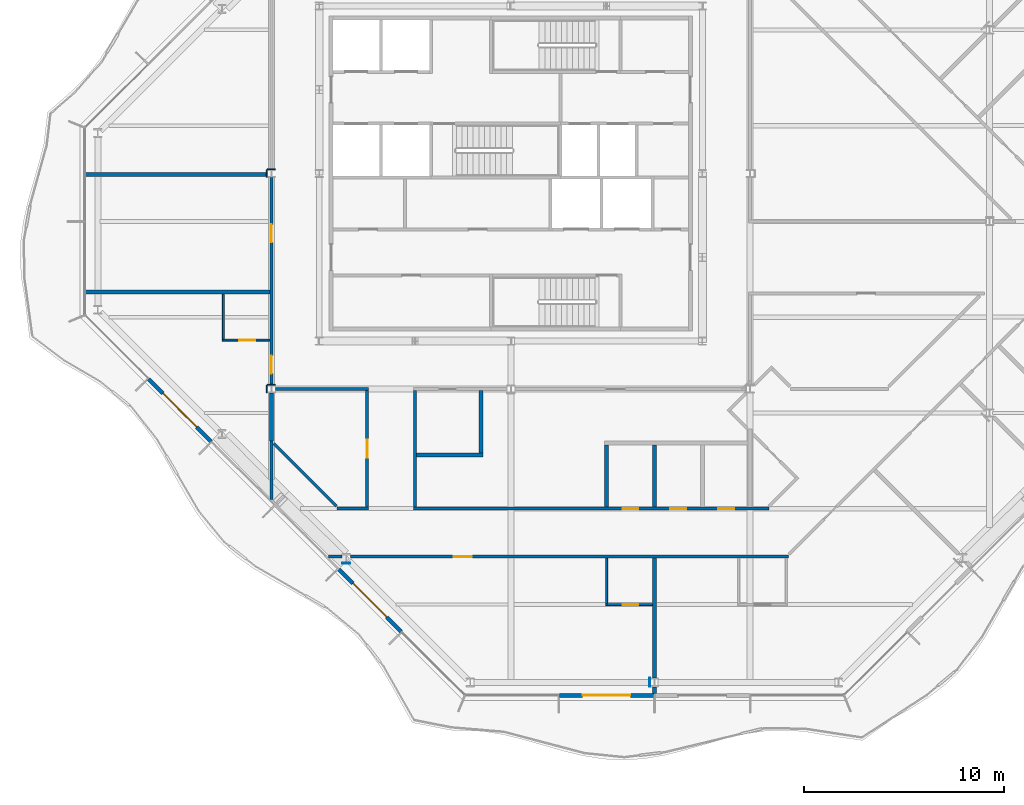
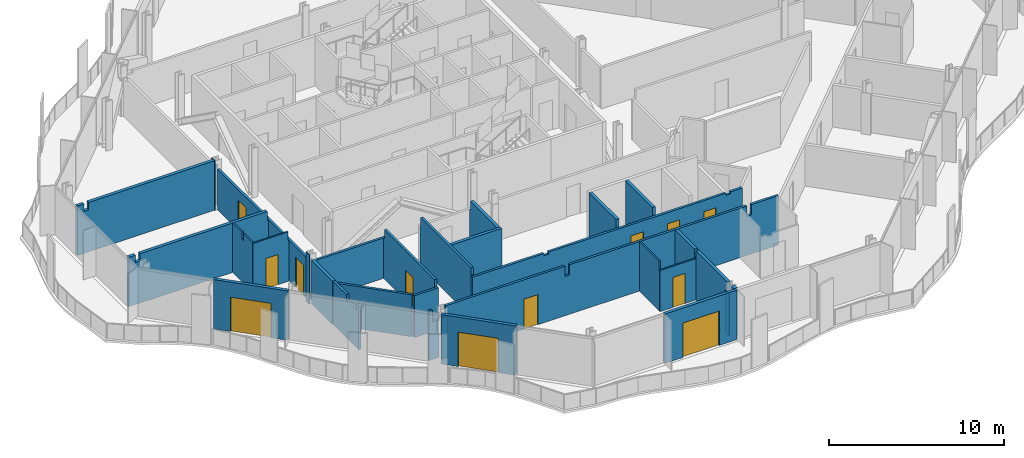
# One storey, part 7 of 17: 32 walls, 12 doors, 12 openings.
"""IFC4 building model written with IfcOpenShell, lengths in metres."""

from ifc_helpers import new_model, si_unit, direction, frame, frame_2d, origin, place, context, subcontext, project, spatial, polyline, rectangle, outline, extrude, material, layer, layer_set, type_object, element, fill, save


model = new_model("IFC4")

# Units and contexts
model_context = context("Model", 3, precision=1e-05, world=origin(), true_north=direction((0.0, 1.0)))
body_context = subcontext(model_context, "Body", "Model", "MODEL_VIEW")
ifc_project = project(units=[si_unit("LENGTHUNIT", "METRE"), si_unit("AREAUNIT", "SQUARE_METRE"), si_unit("VOLUMEUNIT", "CUBIC_METRE"), si_unit("PLANEANGLEUNIT", "RADIAN"), si_unit("MASSUNIT", "GRAM", prefix="KILO")], contexts=[model_context])

# Site, building, storey
site_placement = place(None, origin())
site = spatial("IfcSite", under=ifc_project, at=site_placement, CompositionType="ELEMENT")
building_placement = place(site_placement, origin())
building = spatial("IfcBuilding", under=site, at=building_placement, Name="Cairn Pilgrim Tower", CompositionType="ELEMENT")
storey_placement = place(building_placement, frame((0.0, 0.0, 214.199951171875)))
storey = spatial("IfcBuildingStorey", under=building, at=storey_placement, Name="L54", CompositionType="ELEMENT", Elevation=214.199951171875)

# Wall, opening, door
ifc_material_1 = material(Name="Bronze anodised aluminium insulated sandwich panel with mineral wool fill", Category="aluminium")
ifc_layer_1 = layer(ifc_material_1, 0.199951171875)
ifc_layer_set_1 = layer_set([ifc_layer_1], Name="BRONZE INFILL FRAME WALL 200")
wall_type_1 = type_object("IfcWallType", Name="BRONZE INFILL FRAME WALL 200", PredefinedType="NOTDEFINED", material=ifc_layer_set_1)
wall_1_placement = place(storey_placement, frame((9.6298828125, -23.75, 0.0), z_axis=(0.0, 0.0, 1.0), x_axis=(1.0, 0.0, 0.0)))
wall_1 = element("IfcWall", 1, at=wall_1_placement, inside=storey, type_object=wall_type_1, Name="Bronze infill frame wall IW-S2", PredefinedType="NOTDEFINED", context=body_context, shape_type="SweptSolid", body=[
    extrude(rectangle(XDim=4.740234375, YDim=0.199951171875, at=frame_2d((2.3701171875, 0.0))), origin(), (0.0, 0.0, 1.0), 3.449951171875),
])
opening_1_placement = place(wall_1_placement, frame((1.169921875, 0.0, 0.0)))
opening_1 = element("IfcOpeningElement", 2, at=opening_1_placement, cuts=wall_1, Name="Opening 5412B2", PredefinedType="OPENING", context=body_context, shape_type="SweptSolid", body=[
    extrude(rectangle(XDim=2.39990234375, YDim=2.39990234375, at=frame_2d((1.199951171875, 1.199951171875))), frame((0.0, 0.10986328125, 0.0), z_axis=(0.0, -1.0, 0.0), x_axis=(1.0, 0.0, 0.0)), (0.0, 0.0, 1.0), 0.219970703125),
])
ifc_material_2 = material(Name="Bronze anodised aluminium frame with tinted low-E glass", Category="aluminium")
door_type_1 = type_object("IfcDoorType", Name="BALCONY SLIDING DOOR 2400x2400", OperationType="DOUBLE_DOOR_SLIDING", PredefinedType="DOOR", material=ifc_material_2)
door_1_placement = place(opening_1_placement, origin())
door_1 = element("IfcDoor", 3, at=door_1_placement, inside=storey, type_object=door_type_1, Name="Balcony sliding door 5412B2", OperationType="SINGLE_SWING_LEFT", OverallHeight=2.39990234375, OverallWidth=2.39990234375, PredefinedType="DOOR", context=body_context, shape_type="SweptSolid", body=[
    extrude(rectangle(XDim=2.39990234375, YDim=2.39990234375, at=frame_2d((1.199951171875, 1.199951171875))), frame((0.0, 0.02490234375, 0.0), z_axis=(0.0, -1.0, 0.0), x_axis=(1.0, 0.0, 0.0)), (0.0, 0.0, 1.0), 0.050048828125),
])
fill(opening_1, door_1)

wall_2_placement = place(storey_placement, frame((-10.953125, -7.893310546875, 0.0), z_axis=(0.0, 0.0, 1.0), x_axis=(0.707106781187, -0.707106781187, 0.0)))
wall_2 = element("IfcWall", 4, at=wall_2_placement, inside=storey, type_object=wall_type_1, Name="Bronze infill frame wall IW-SW2", PredefinedType="NOTDEFINED", context=body_context, shape_type="SweptSolid", body=[
    extrude(rectangle(XDim=4.430908203125, YDim=0.199951171875, at=frame_2d((2.21533203125, 0.0))), origin(), (0.0, 0.0, 1.0), 3.449951171875),
])
opening_2_placement = place(wall_2_placement, frame((1.015380859375, 0.0, 0.0)))
opening_2 = element("IfcOpeningElement", 5, at=opening_2_placement, cuts=wall_2, Name="Opening 5411B", PredefinedType="OPENING", context=body_context, shape_type="SweptSolid", body=[
    extrude(rectangle(XDim=2.39990234375, YDim=2.39990234375, at=frame_2d((1.199951171875, 1.199951171875))), frame((0.0, 0.10986328125, 0.0), z_axis=(0.0, -1.0, 0.0), x_axis=(1.0, 0.0, 0.0)), (0.0, 0.0, 1.0), 0.219970703125),
])
door_2_placement = place(opening_2_placement, origin())
door_2 = element("IfcDoor", 6, at=door_2_placement, inside=storey, type_object=door_type_1, Name="Balcony sliding door 5411B", OperationType="SINGLE_SWING_LEFT", OverallHeight=2.39990234375, OverallWidth=2.39990234375, PredefinedType="DOOR", context=body_context, shape_type="SweptSolid", body=[
    extrude(rectangle(XDim=2.39990234375, YDim=2.39990234375, at=frame_2d((1.199951171875, 1.199951171875))), frame((0.0, 0.02490234375, 0.0), z_axis=(0.0, -1.0, 0.0), x_axis=(1.0, 0.0, 0.0)), (0.0, 0.0, 1.0), 0.050048828125),
])
fill(opening_2, door_2)

wall_3_placement = place(storey_placement, frame((-1.426513671875, -17.419921875, 0.0), z_axis=(0.0, 0.0, 1.0), x_axis=(0.707106781187, -0.707106781187, 0.0)))
wall_3 = element("IfcWall", 7, at=wall_3_placement, inside=storey, type_object=wall_type_1, Name="Bronze infill frame wall IW-SW5", PredefinedType="NOTDEFINED", context=body_context, shape_type="SweptSolid", body=[
    extrude(rectangle(XDim=4.43115234375, YDim=0.199951171875, at=frame_2d((2.215576171875, 0.0))), origin(), (0.0, 0.0, 1.0), 3.449951171875),
])
opening_3_placement = place(wall_3_placement, frame((1.01513671875, 0.0, 0.0)))
opening_3 = element("IfcOpeningElement", 8, at=opening_3_placement, cuts=wall_3, Name="Opening 5412B", PredefinedType="OPENING", context=body_context, shape_type="SweptSolid", body=[
    extrude(rectangle(XDim=2.39990234375, YDim=2.39990234375, at=frame_2d((1.199951171875, 1.199951171875))), frame((0.0, 0.10986328125, 0.0), z_axis=(0.0, -1.0, 0.0), x_axis=(1.0, 0.0, 0.0)), (0.0, 0.0, 1.0), 0.219970703125),
])
door_3_placement = place(opening_3_placement, origin())
door_3 = element("IfcDoor", 9, at=door_3_placement, inside=storey, type_object=door_type_1, Name="Balcony sliding door 5412B", OperationType="SINGLE_SWING_LEFT", OverallHeight=2.39990234375, OverallWidth=2.39990234375, PredefinedType="DOOR", context=body_context, shape_type="SweptSolid", body=[
    extrude(rectangle(XDim=2.39990234375, YDim=2.39990234375, at=frame_2d((1.199951171875, 1.199951171875))), frame((0.0, 0.02490234375, 0.0), z_axis=(0.0, -1.0, 0.0), x_axis=(1.0, 0.0, 0.0)), (0.0, 0.0, 1.0), 0.050048828125),
])
fill(opening_3, door_3)

ifc_material_3 = material(Name="Gypsum partition")
ifc_layer_2 = layer(ifc_material_3, 0.10009765625)
ifc_layer_set_2 = layer_set([ifc_layer_2], Name="PARTITION 100 DRYWALL")
wall_type_2 = type_object("IfcWallType", Name="PARTITION 100 DRYWALL", PredefinedType="PARTITIONING", material=ifc_layer_set_2)
wall_4_placement = place(storey_placement, frame((11.949951171875, -19.199951171875, 0.0), z_axis=(0.0, 0.0, 1.0), x_axis=(1.0, 0.0, 0.0)))
wall_4 = element("IfcWall", 10, at=wall_4_placement, inside=storey, type_object=wall_type_2, Name="PARTITION W003", PredefinedType="PARTITIONING", context=body_context, shape_type="SweptSolid", body=[
    extrude(rectangle(XDim=2.35009765625, YDim=0.10009765625, at=frame_2d((1.175048828125, 0.0))), origin(), (0.0, 0.0, 1.0), 2.880126953125),
])
opening_4_placement = place(wall_4_placement, frame((0.85009765625, 0.0, 0.0)))
opening_4 = element("IfcOpeningElement", 11, at=opening_4_placement, cuts=wall_4, Name="Opening 5412A", PredefinedType="OPENING", context=body_context, shape_type="SweptSolid", body=[
    extrude(rectangle(XDim=0.800048828125, YDim=2.10009765625, at=frame_2d((0.39990234375, 1.050048828125))), frame((0.0, 0.06005859375, 0.0), z_axis=(0.0, -1.0, 0.0), x_axis=(1.0, 0.0, 0.0)), (0.0, 0.0, 1.0), 0.1201171875),
])
ifc_material_4 = material(Name="Timber door leaf", Category="wood")
door_type_2 = type_object("IfcDoorType", Name="WC DOOR 800x2100", OperationType="NOTDEFINED", PredefinedType="DOOR", material=ifc_material_4)
door_4_placement = place(opening_4_placement, frame((0.800048828125, 0.0, 0.0), z_axis=(0.0, 0.0, 1.0), x_axis=(-1.0, 0.0, 0.0)))
door_4 = element("IfcDoor", 12, at=door_4_placement, inside=storey, type_object=door_type_2, Name="DOOR 5412A", OperationType="SINGLE_SWING_RIGHT", OverallHeight=2.10009765625, OverallWidth=0.800048828125, PredefinedType="DOOR", context=body_context, shape_type="SweptSolid", body=[
    extrude(rectangle(XDim=0.800048828125, YDim=2.10009765625, at=frame_2d((0.39990234375, 1.050048828125))), frame((0.0, 0.02490234375, 0.0), z_axis=(0.0, -1.0, 0.0), x_axis=(1.0, 0.0, 0.0)), (0.0, 0.0, 1.0), 0.050048828125),
])
fill(opening_4, door_4)

# Wall
wall_5_placement = place(storey_placement, frame((12.0, -19.14990234375, 0.0), z_axis=(0.0, 0.0, 1.0), x_axis=(0.0, 1.0, 0.0)))
element("IfcWall", 13, at=wall_5_placement, inside=storey, type_object=wall_type_2, Name="PARTITION W005", PredefinedType="PARTITIONING", context=body_context, shape_type="SweptSolid", body=[
    extrude(outline(polyline([(0.0, 0.0), (2.27490234375, 0.0), (2.27490234375, 3.449951171875), (0.054931640625, 3.449951171875), (0.052978515625, 2.880126953125), (0.0, 2.880126953125), (0.0, 0.0)])), frame((0.0, 0.050048828125, 0.0), z_axis=(0.0, -1.0, 0.0), x_axis=(1.0, 0.0, 0.0)), (0.0, 0.0, 1.0), 0.10009765625),
])

# Wall, opening, door
wall_6_placement = place(storey_placement, frame((-7.25, -5.944091796875, 0.0), z_axis=(0.0, 0.0, 1.0), x_axis=(1.0, 0.0, 0.0)))
wall_6 = element("IfcWall", 14, at=wall_6_placement, inside=storey, type_object=wall_type_2, Name="PARTITION W044", PredefinedType="PARTITIONING", context=body_context, shape_type="SweptSolid", body=[
    extrude(outline(polyline([(0.0, 0.0), (2.375, 0.0), (2.375, 2.830078125), (2.300048828125, 2.830078125), (2.298095703125, 3.449951171875), (0.0, 3.449951171875), (0.0, 0.0)])), frame((0.0, 0.050048828125, 0.0), z_axis=(0.0, -1.0, 0.0), x_axis=(1.0, 0.0, 0.0)), (0.0, 0.0, 1.0), 0.10009765625),
])
opening_5_placement = place(wall_6_placement, frame((0.85009765625, 0.0, 0.0)))
opening_5 = element("IfcOpeningElement", 15, at=opening_5_placement, cuts=wall_6, Name="Opening 5411A", PredefinedType="OPENING", context=body_context, shape_type="SweptSolid", body=[
    extrude(rectangle(XDim=0.800048828125, YDim=2.10009765625, at=frame_2d((0.39990234375, 1.050048828125))), frame((0.0, 0.06005859375, 0.0), z_axis=(0.0, -1.0, 0.0), x_axis=(1.0, 0.0, 0.0)), (0.0, 0.0, 1.0), 0.1201171875),
])
door_5_placement = place(opening_5_placement, frame((0.800048828125, 0.0, 0.0), z_axis=(0.0, 0.0, 1.0), x_axis=(-1.0, 0.0, 0.0)))
door_5 = element("IfcDoor", 16, at=door_5_placement, inside=storey, type_object=door_type_2, Name="DOOR 5411A", OperationType="SINGLE_SWING_RIGHT", OverallHeight=2.10009765625, OverallWidth=0.800048828125, PredefinedType="DOOR", context=body_context, shape_type="SweptSolid", body=[
    extrude(rectangle(XDim=0.800048828125, YDim=2.10009765625, at=frame_2d((0.39990234375, 1.050048828125))), frame((0.0, 0.02490234375, 0.0), z_axis=(0.0, -1.0, 0.0), x_axis=(1.0, 0.0, 0.0)), (0.0, 0.0, 1.0), 0.050048828125),
])
fill(opening_5, door_5)

# Walls
wall_7_placement = place(storey_placement, frame((-7.199951171875, -5.89404296875, 0.0), z_axis=(0.0, 0.0, 1.0), x_axis=(0.0, 1.0, 0.0)))
element("IfcWall", 17, at=wall_7_placement, inside=storey, type_object=wall_type_2, Name="PARTITION W045", PredefinedType="PARTITIONING", context=body_context, shape_type="SweptSolid", body=[
    extrude(outline(polyline([(0.0, 0.0), (2.25, 0.0), (2.25, 3.449951171875), (1.18896484375, 3.449951171875), (1.18701171875, 2.97998046875), (0.9990234375, 2.97998046875), (0.9970703125, 3.449951171875), (0.0, 3.449951171875), (0.0, 0.0)])), frame((0.0, 0.050048828125, 0.0), z_axis=(0.0, -1.0, 0.0), x_axis=(1.0, 0.0, 0.0)), (0.0, 0.0, 1.0), 0.10009765625),
])
ifc_layer_3 = layer(ifc_material_3, 0.14990234375)
ifc_layer_set_3 = layer_set([ifc_layer_3], Name="PARTITION 150 DRYWALL EI 60")
wall_type_3 = type_object("IfcWallType", Name="PARTITION 150 DRYWALL EI 60", PredefinedType="PARTITIONING", material=ifc_layer_set_3)
wall_8_placement = place(storey_placement, frame((-1.926025390625, -16.800048828125, 0.0), z_axis=(0.0, 0.0, 1.0), x_axis=(1.0, 0.0, 0.0)))
element("IfcWall", 18, at=wall_8_placement, inside=storey, type_object=wall_type_3, Name="PARTITION W009", PredefinedType="PARTITIONING", context=body_context, shape_type="SweptSolid", body=[
    extrude(outline(polyline([(0.0, 0.0), (0.66650390625, 0.0), (0.66650390625, 2.630126953125), (0.22900390625, 2.630126953125), (0.226806640625, 3.449951171875), (0.0, 3.449951171875), (0.0, 0.0)])), frame((0.0, 0.074951171875, 0.0), z_axis=(0.0, -1.0, 0.0), x_axis=(1.0, 0.0, 0.0)), (0.0, 0.0, 1.0), 0.14990234375),
])

# Wall, opening, door
wall_9_placement = place(storey_placement, frame((-0.843505859375, -16.800048828125, 0.0), z_axis=(0.0, 0.0, 1.0), x_axis=(1.0, 0.0, 0.0)))
wall_9 = element("IfcWall", 19, at=wall_9_placement, inside=storey, type_object=wall_type_3, Name="PARTITION W010", PredefinedType="PARTITIONING", context=body_context, shape_type="SweptSolid", body=[
    extrude(outline(polyline([(0.0, 0.0), (21.967529296875, 0.0), (21.967529296875, 3.449951171875), (20.193603515625, 3.449951171875), (20.19140625, 2.72998046875), (19.8935546875, 2.72998046875), (19.8916015625, 3.449951171875), (8.193603515625, 3.449951171875), (8.19140625, 2.72998046875), (7.8935546875, 2.72998046875), (7.8916015625, 3.449951171875), (0.0, 3.449951171875), (0.0, 0.0)])), frame((0.0, 0.074951171875, 0.0), z_axis=(0.0, -1.0, 0.0), x_axis=(1.0, 0.0, 0.0)), (0.0, 0.0, 1.0), 0.14990234375),
])
opening_6_placement = place(wall_9_placement, frame((5.193603515625, 0.0, 0.0)))
opening_6 = element("IfcOpeningElement", 20, at=opening_6_placement, cuts=wall_9, Name="Opening 5412", PredefinedType="OPENING", context=body_context, shape_type="SweptSolid", body=[
    extrude(rectangle(XDim=0.89990234375, YDim=2.10009765625, at=frame_2d((0.449951171875, 1.050048828125))), frame((0.0, 0.0849609375, 0.0), z_axis=(0.0, -1.0, 0.0), x_axis=(1.0, 0.0, 0.0)), (0.0, 0.0, 1.0), 0.169921875),
])
door_type_3 = type_object("IfcDoorType", Name="ROOM DOOR 900x2100 FD30S", OperationType="NOTDEFINED", PredefinedType="DOOR", material=ifc_material_4)
door_6_placement = place(opening_6_placement, frame((0.89990234375, 0.0, 0.0), z_axis=(0.0, 0.0, 1.0), x_axis=(-1.0, 0.0, 0.0)))
door_6 = element("IfcDoor", 21, at=door_6_placement, inside=storey, type_object=door_type_3, Name="DOOR 5412", OperationType="SINGLE_SWING_RIGHT", OverallHeight=2.10009765625, OverallWidth=0.89990234375, PredefinedType="DOOR", context=body_context, shape_type="SweptSolid", body=[
    extrude(rectangle(XDim=0.89990234375, YDim=2.10009765625, at=frame_2d((0.449951171875, 1.050048828125))), frame((0.0, 0.02490234375, 0.0), z_axis=(0.0, -1.0, 0.0), x_axis=(1.0, 0.0, 0.0)), (0.0, 0.0, 1.0), 0.050048828125),
])
fill(opening_6, door_6)

# Wall
wall_10_placement = place(storey_placement, frame((-1.51220703125, -14.39990234375, 0.0), z_axis=(0.0, 0.0, 1.0), x_axis=(1.0, 0.0, 0.0)))
element("IfcWall", 22, at=wall_10_placement, inside=storey, type_object=wall_type_3, Name="PARTITION W013", PredefinedType="PARTITIONING", context=body_context, shape_type="SweptSolid", body=[
    extrude(rectangle(XDim=1.587158203125, YDim=0.14990234375, at=frame_2d((0.79345703125, 0.0))), origin(), (0.0, 0.0, 1.0), 2.929931640625),
])

# Wall, openings, doors
wall_11_placement = place(storey_placement, frame((2.324951171875, -14.39990234375, 0.0), z_axis=(0.0, 0.0, 1.0), x_axis=(1.0, 0.0, 0.0)))
wall_11 = element("IfcWall", 23, at=wall_11_placement, inside=storey, type_object=wall_type_3, Name="PARTITION W014", PredefinedType="PARTITIONING", context=body_context, shape_type="SweptSolid", body=[
    extrude(outline(polyline([(0.0, 0.0), (17.80419921875, 0.0), (17.80419921875, 2.880126953125), (17.02490234375, 2.880126953125), (17.02294921875, 2.72998046875), (16.72509765625, 2.72998046875), (16.722900390625, 2.880126953125), (5.02490234375, 2.880126953125), (5.02294921875, 2.72998046875), (4.72509765625, 2.72998046875), (4.722900390625, 2.880126953125), (0.0, 2.880126953125), (0.0, 0.0)])), frame((0.0, 0.074951171875, 0.0), z_axis=(0.0, -1.0, 0.0), x_axis=(1.0, 0.0, 0.0)), (0.0, 0.0, 1.0), 0.14990234375),
])
opening_7_placement = place(wall_11_placement, frame((15.27490234375, 0.0, 0.0)))
opening_7 = element("IfcOpeningElement", 24, at=opening_7_placement, cuts=wall_11, Name="Opening 5414", PredefinedType="OPENING", context=body_context, shape_type="SweptSolid", body=[
    extrude(rectangle(XDim=0.800048828125, YDim=2.10009765625, at=frame_2d((0.39990234375, 1.050048828125))), frame((0.0, 0.0849609375, 0.0), z_axis=(0.0, -1.0, 0.0), x_axis=(1.0, 0.0, 0.0)), (0.0, 0.0, 1.0), 0.169921875),
])
opening_8_placement = place(wall_11_placement, frame((12.875, 0.0, 0.0)))
opening_8 = element("IfcOpeningElement", 25, at=opening_8_placement, cuts=wall_11, Name="Opening 5415", PredefinedType="OPENING", context=body_context, shape_type="SweptSolid", body=[
    extrude(rectangle(XDim=0.800048828125, YDim=2.10009765625, at=frame_2d((0.39990234375, 1.050048828125))), frame((0.0, 0.0849609375, 0.0), z_axis=(0.0, -1.0, 0.0), x_axis=(1.0, 0.0, 0.0)), (0.0, 0.0, 1.0), 0.169921875),
])
opening_9_placement = place(wall_11_placement, frame((10.47509765625, 0.0, 0.0)))
opening_9 = element("IfcOpeningElement", 26, at=opening_9_placement, cuts=wall_11, Name="Opening 5416", PredefinedType="OPENING", context=body_context, shape_type="SweptSolid", body=[
    extrude(rectangle(XDim=0.800048828125, YDim=2.10009765625, at=frame_2d((0.39990234375, 1.050048828125))), frame((0.0, 0.0849609375, 0.0), z_axis=(0.0, -1.0, 0.0), x_axis=(1.0, 0.0, 0.0)), (0.0, 0.0, 1.0), 0.169921875),
])
door_type_4 = type_object("IfcDoorType", Name="WC DOOR 800x2100 FD30S", OperationType="NOTDEFINED", PredefinedType="DOOR", material=ifc_material_4)
door_7_placement = place(opening_7_placement, origin())
door_7 = element("IfcDoor", 27, at=door_7_placement, inside=storey, type_object=door_type_4, Name="DOOR 5414", OperationType="SINGLE_SWING_RIGHT", OverallHeight=2.10009765625, OverallWidth=0.800048828125, PredefinedType="DOOR", context=body_context, shape_type="SweptSolid", body=[
    extrude(rectangle(XDim=0.800048828125, YDim=2.10009765625, at=frame_2d((0.39990234375, 1.050048828125))), frame((0.0, 0.02490234375, 0.0), z_axis=(0.0, -1.0, 0.0), x_axis=(1.0, 0.0, 0.0)), (0.0, 0.0, 1.0), 0.050048828125),
])
fill(opening_7, door_7)
door_8_placement = place(opening_8_placement, origin())
door_8 = element("IfcDoor", 28, at=door_8_placement, inside=storey, type_object=door_type_4, Name="DOOR 5415", OperationType="SINGLE_SWING_RIGHT", OverallHeight=2.10009765625, OverallWidth=0.800048828125, PredefinedType="DOOR", context=body_context, shape_type="SweptSolid", body=[
    extrude(rectangle(XDim=0.800048828125, YDim=2.10009765625, at=frame_2d((0.39990234375, 1.050048828125))), frame((0.0, 0.02490234375, 0.0), z_axis=(0.0, -1.0, 0.0), x_axis=(1.0, 0.0, 0.0)), (0.0, 0.0, 1.0), 0.050048828125),
])
fill(opening_8, door_8)
door_9_placement = place(opening_9_placement, origin())
door_9 = element("IfcDoor", 29, at=door_9_placement, inside=storey, type_object=door_type_4, Name="DOOR 5416", OperationType="SINGLE_SWING_RIGHT", OverallHeight=2.10009765625, OverallWidth=0.800048828125, PredefinedType="DOOR", context=body_context, shape_type="SweptSolid", body=[
    extrude(rectangle(XDim=0.800048828125, YDim=2.10009765625, at=frame_2d((0.39990234375, 1.050048828125))), frame((0.0, 0.02490234375, 0.0), z_axis=(0.0, -1.0, 0.0), x_axis=(1.0, 0.0, 0.0)), (0.0, 0.0, 1.0), 0.050048828125),
])
fill(opening_9, door_9)

# Wall
wall_12_placement = place(storey_placement, frame((-1.533935546875, -14.27197265625, 0.0), z_axis=(0.0, 0.0, 1.0), x_axis=(-0.707134287042, 0.707079274261, 0.0)))
element("IfcWall", 30, at=wall_12_placement, inside=storey, type_object=wall_type_3, Name="PARTITION W015", PredefinedType="PARTITIONING", context=body_context, shape_type="SweptSolid", body=[
    extrude(rectangle(XDim=4.43798828125, YDim=0.14990234375, at=frame_2d((2.218994140625, 0.0))), origin(), (0.0, 0.0, 1.0), 2.929931640625),
])

# Wall, opening, door
wall_13_placement = place(storey_placement, frame((0.0, -14.324951171875, 0.0), z_axis=(0.0, 0.0, 1.0), x_axis=(0.0, 1.0, 0.0)))
wall_13 = element("IfcWall", 31, at=wall_13_placement, inside=storey, type_object=wall_type_3, Name="PARTITION W016", PredefinedType="PARTITIONING", context=body_context, shape_type="SweptSolid", body=[
    extrude(outline(polyline([(0.0, 0.0), (5.849853515625, 0.0), (5.85009765625, 2.830078125), (5.77490234375, 2.830078125), (5.77294921875, 3.449951171875), (0.02490234375, 3.449951171875), (0.02294921875, 2.929931640625), (0.0, 2.929931640625), (0.0, 0.0)])), frame((0.0, 0.074951171875, 0.0), z_axis=(0.0, -1.0, 0.0), x_axis=(1.0, 0.0, 0.0)), (0.0, 0.0, 1.0), 0.14990234375),
])
opening_10_placement = place(wall_13_placement, frame((2.47509765625, 0.0, 0.0)))
opening_10 = element("IfcOpeningElement", 32, at=opening_10_placement, cuts=wall_13, Name="Opening 5420", PredefinedType="OPENING", context=body_context, shape_type="SweptSolid", body=[
    extrude(rectangle(XDim=0.89990234375, YDim=2.10009765625, at=frame_2d((0.449951171875, 1.050048828125))), frame((0.0, 0.0849609375, 0.0), z_axis=(0.0, -1.0, 0.0), x_axis=(1.0, 0.0, 0.0)), (0.0, 0.0, 1.0), 0.169921875),
])
door_type_5 = type_object("IfcDoorType", Name="SERVICE DOOR 900x2100 FD30S", OperationType="NOTDEFINED", PredefinedType="DOOR", material=ifc_material_4)
door_10_placement = place(opening_10_placement, origin())
door_10 = element("IfcDoor", 33, at=door_10_placement, inside=storey, type_object=door_type_5, Name="DOOR 5420", OperationType="SINGLE_SWING_LEFT", OverallHeight=2.10009765625, OverallWidth=0.89990234375, PredefinedType="DOOR", context=body_context, shape_type="SweptSolid", body=[
    extrude(rectangle(XDim=0.89990234375, YDim=2.10009765625, at=frame_2d((0.449951171875, 1.050048828125))), frame((0.0, 0.02490234375, 0.0), z_axis=(0.0, -1.0, 0.0), x_axis=(1.0, 0.0, 0.0)), (0.0, 0.0, 1.0), 0.050048828125),
])
fill(opening_10, door_10)

# Walls
wall_14_placement = place(storey_placement, frame((2.39990234375, -14.324951171875, 0.0), z_axis=(0.0, 0.0, 1.0), x_axis=(0.0, 1.0, 0.0)))
element("IfcWall", 34, at=wall_14_placement, inside=storey, type_object=wall_type_3, Name="PARTITION W017", PredefinedType="PARTITIONING", context=body_context, shape_type="SweptSolid", body=[
    extrude(outline(polyline([(0.0, 0.0), (5.849853515625, 0.0), (5.85009765625, 2.830078125), (5.77490234375, 2.830078125), (5.77294921875, 3.449951171875), (0.02490234375, 3.449951171875), (0.02294921875, 2.929931640625), (0.0, 2.929931640625), (0.0, 0.0)])), frame((0.0, 0.074951171875, 0.0), z_axis=(0.0, -1.0, 0.0), x_axis=(1.0, 0.0, 0.0)), (0.0, 0.0, 1.0), 0.14990234375),
])
wall_15_placement = place(storey_placement, frame((-4.800048828125, -13.926025390625, 0.0), z_axis=(0.0, 0.0, 1.0), x_axis=(0.0, 1.0, 0.0)))
element("IfcWall", 35, at=wall_15_placement, inside=storey, type_object=wall_type_3, Name="PARTITION W023", PredefinedType="PARTITIONING", context=body_context, shape_type="SweptSolid", body=[
    extrude(outline(polyline([(0.0, 0.0), (2.919921875, 0.0), (2.920166015625, 3.030029296875), (1.368896484375, 3.030029296875), (1.366943359375, 2.630126953125), (0.22900390625, 2.630126953125), (0.226806640625, 3.030029296875), (0.0, 3.030029296875), (0.0, 0.0)])), frame((0.0, 0.074951171875, 0.0), z_axis=(0.0, -1.0, 0.0), x_axis=(1.0, 0.0, 0.0)), (0.0, 0.0, 1.0), 0.14990234375),
])
wall_16_placement = place(storey_placement, frame((-4.6005859375, -8.39990234375, 0.0), z_axis=(0.0, 0.0, 1.0), x_axis=(1.0, 0.0, 0.0)))
element("IfcWall", 36, at=wall_16_placement, inside=storey, type_object=wall_type_3, Name="PARTITION W035", PredefinedType="PARTITIONING", context=body_context, shape_type="SweptSolid", body=[
    extrude(rectangle(XDim=4.675537109375, YDim=0.14990234375, at=frame_2d((2.337890625, 0.0))), origin(), (0.0, 0.0, 1.0), 2.830078125),
])

# Wall, openings, doors
wall_17_placement = place(storey_placement, frame((-4.800048828125, -8.20361328125, 0.0), z_axis=(0.0, 0.0, 1.0), x_axis=(0.0, 1.0, 0.0)))
wall_17 = element("IfcWall", 37, at=wall_17_placement, inside=storey, type_object=wall_type_3, Name="PARTITION W041", PredefinedType="PARTITIONING", context=body_context, shape_type="SweptSolid", body=[
    extrude(rectangle(XDim=10.4072265625, YDim=0.14990234375, at=frame_2d((5.20361328125, 0.0))), origin(), (0.0, 0.0, 1.0), 2.830078125),
])
opening_11_placement = place(wall_17_placement, frame((7.153564453125, 0.0, 0.0)))
opening_11 = element("IfcOpeningElement", 38, at=opening_11_placement, cuts=wall_17, Name="Opening 5410", PredefinedType="OPENING", context=body_context, shape_type="SweptSolid", body=[
    extrude(rectangle(XDim=0.89990234375, YDim=2.10009765625, at=frame_2d((0.449951171875, 1.050048828125))), frame((0.0, 0.0849609375, 0.0), z_axis=(0.0, -1.0, 0.0), x_axis=(1.0, 0.0, 0.0)), (0.0, 0.0, 1.0), 0.169921875),
])
opening_12_placement = place(wall_17_placement, frame((0.58154296875, 0.0, 0.0)))
opening_12 = element("IfcOpeningElement", 39, at=opening_12_placement, cuts=wall_17, Name="Opening 5411", PredefinedType="OPENING", context=body_context, shape_type="SweptSolid", body=[
    extrude(rectangle(XDim=0.89990234375, YDim=2.10009765625, at=frame_2d((0.449951171875, 1.050048828125))), frame((0.0, 0.0849609375, 0.0), z_axis=(0.0, -1.0, 0.0), x_axis=(1.0, 0.0, 0.0)), (0.0, 0.0, 1.0), 0.169921875),
])
door_11_placement = place(opening_12_placement, origin())
door_11 = element("IfcDoor", 40, at=door_11_placement, inside=storey, type_object=door_type_3, Name="DOOR 5411", OperationType="SINGLE_SWING_RIGHT", OverallHeight=2.10009765625, OverallWidth=0.89990234375, PredefinedType="DOOR", context=body_context, shape_type="SweptSolid", body=[
    extrude(rectangle(XDim=0.89990234375, YDim=2.10009765625, at=frame_2d((0.449951171875, 1.050048828125))), frame((0.0, 0.02490234375, 0.0), z_axis=(0.0, -1.0, 0.0), x_axis=(1.0, 0.0, 0.0)), (0.0, 0.0, 1.0), 0.050048828125),
])
fill(opening_12, door_11)
door_12_placement = place(opening_11_placement, origin())
door_12 = element("IfcDoor", 41, at=door_12_placement, inside=storey, type_object=door_type_5, Name="DOOR 5410", OperationType="SINGLE_SWING_RIGHT", OverallHeight=2.10009765625, OverallWidth=0.89990234375, PredefinedType="DOOR", context=body_context, shape_type="SweptSolid", body=[
    extrude(rectangle(XDim=0.89990234375, YDim=2.10009765625, at=frame_2d((0.449951171875, 1.050048828125))), frame((0.0, 0.02490234375, 0.0), z_axis=(0.0, -1.0, 0.0), x_axis=(1.0, 0.0, 0.0)), (0.0, 0.0, 1.0), 0.050048828125),
])
fill(opening_11, door_12)

# Walls
ifc_layer_4 = layer(ifc_material_3, 0.050048828125)
ifc_layer_set_4 = layer_set([ifc_layer_4], Name="PARTITION 50 DRYWALL EI 60")
wall_type_4 = type_object("IfcWallType", Name="PARTITION 50 DRYWALL EI 60", PredefinedType="PARTITIONING", material=ifc_layer_set_4)
wall_18_placement = place(storey_placement, frame((14.1669921875, -23.322998046875, 0.0), z_axis=(0.0, 0.0, 1.0), x_axis=(0.0, 1.0, 0.0)))
element("IfcWall", 42, at=wall_18_placement, inside=storey, type_object=wall_type_4, Name="COLUMN CASING WC01", PredefinedType="PARTITIONING", context=body_context, shape_type="SweptSolid", body=[
    extrude(rectangle(XDim=0.446044921875, YDim=0.050048828125, at=frame_2d((0.22314453125, 0.0))), origin(), (0.0, 0.0, 1.0), 2.929931640625),
])
wall_19_placement = place(storey_placement, frame((-1.259521484375, -17.123779296875, 0.0), z_axis=(0.0, 0.0, 1.0), x_axis=(1.0, 0.0, 0.0)))
element("IfcWall", 43, at=wall_19_placement, inside=storey, type_object=wall_type_4, Name="COLUMN CASING WC03", PredefinedType="PARTITIONING", context=body_context, shape_type="SweptSolid", body=[
    extrude(rectangle(XDim=0.416015625, YDim=0.050048828125, at=frame_2d((0.2080078125, 0.0))), origin(), (0.0, 0.0, 1.0), 2.929931640625),
])
for number, where, z_axis, x_axis, name in (
    (44, (-5.0244140625, -8.596435546875, 0.0), (0.0, 0.0, 1.0), (0.0, 1.0, 0.0), "COLUMN CASING WC06"),
    (45, (-5.0244140625, 2.20361328125, 0.0), (0.0, 0.0, 1.0), (0.0, 1.0, 0.0), "COLUMN CASING WC08"),
):
    element("IfcWall", number, at=place(storey_placement, frame(where, z_axis=z_axis, x_axis=x_axis)), inside=storey, type_object=wall_type_4, Name=name, PredefinedType="PARTITIONING", context=body_context, shape_type="SweptSolid", body=[
        extrude(rectangle(XDim=0.392822265625, YDim=0.050048828125, at=frame_2d((0.1962890625, 0.0))), origin(), (0.0, 0.0, 1.0), 3.449951171875),
    ])
for number, where, z_axis, x_axis, name in (
    (46, (-4.99951171875, -8.178466796875, 0.0), (0.0, 0.0, 1.0), (1.0, 0.0, 0.0), "COLUMN CASING WC10"),
    (47, (-4.99951171875, 2.62158203125, 0.0), (0.0, 0.0, 1.0), (1.0, 0.0, 0.0), "COLUMN CASING WC18"),
):
    element("IfcWall", number, at=place(storey_placement, frame(where, z_axis=z_axis, x_axis=x_axis)), inside=storey, type_object=wall_type_4, Name=name, PredefinedType="PARTITIONING", context=body_context, shape_type="SweptSolid", body=[
        extrude(rectangle(XDim=0.39892578125, YDim=0.050048828125, at=frame_2d((0.199462890625, 0.0))), origin(), (0.0, 0.0, 1.0), 2.830078125),
    ])
ifc_layer_5 = layer(ifc_material_3, 0.199951171875)
ifc_layer_set_5 = layer_set([ifc_layer_5], Name="SHAFT WALL 200 GYPSUM EI 60")
wall_type_5 = type_object("IfcWallType", Name="SHAFT WALL 200 GYPSUM EI 60", PredefinedType="PARTITIONING", material=ifc_layer_set_5)
wall_20_placement = place(storey_placement, frame((14.39990234375, -23.64990234375, 0.0), z_axis=(0.0, 0.0, 1.0), x_axis=(0.0, 1.0, 0.0)))
element("IfcWall", 48, at=wall_20_placement, inside=storey, type_object=wall_type_5, Name="PARTITION W001", PredefinedType="PARTITIONING", context=body_context, shape_type="SweptSolid", body=[
    extrude(rectangle(XDim=0.326904296875, YDim=0.199951171875, at=frame_2d((0.16357421875, 0.0))), origin(), (0.0, 0.0, 1.0), 3.449951171875),
])
wall_21_placement = place(storey_placement, frame((14.39990234375, -22.876953125, 0.0), z_axis=(0.0, 0.0, 1.0), x_axis=(0.0, 1.0, 0.0)))
element("IfcWall", 49, at=wall_21_placement, inside=storey, type_object=wall_type_5, Name="PARTITION W002", PredefinedType="PARTITIONING", context=body_context, shape_type="SweptSolid", body=[
    extrude(outline(polyline([(0.0, 0.0), (6.001953125, 0.0), (6.001953125, 3.449951171875), (3.781982421875, 3.449951171875), (3.780029296875, 2.880126953125), (3.572021484375, 2.880126953125), (3.570068359375, 3.449951171875), (0.0, 3.449951171875), (0.0, 0.0)])), frame((0.0, 0.10009765625, 0.0), z_axis=(0.0, -1.0, 0.0), x_axis=(1.0, 0.0, 0.0)), (0.0, 0.0, 1.0), 0.199951171875),
])
for number, where, z_axis, x_axis, name in (
    (50, (12.0, -14.324951171875, 0.0), (0.0, 0.0, 1.0), (0.0, 1.0, 0.0), "PARTITION W018"),
    (51, (14.39990234375, -14.324951171875, 0.0), (0.0, 0.0, 1.0), (0.0, 1.0, 0.0), "PARTITION W019"),
):
    element("IfcWall", number, at=place(storey_placement, frame(where, z_axis=z_axis, x_axis=x_axis)), inside=storey, type_object=wall_type_5, Name=name, PredefinedType="PARTITIONING", context=body_context, shape_type="SweptSolid", body=[
        extrude(outline(polyline([(0.0, 0.0), (3.125, 0.0), (3.125, 3.449951171875), (0.030029296875, 3.449951171875), (0.028076171875, 2.880126953125), (0.0, 2.880126953125), (0.0, 0.0)])), frame((0.0, 0.10009765625, 0.0), z_axis=(0.0, -1.0, 0.0), x_axis=(1.0, 0.0, 0.0)), (0.0, 0.0, 1.0), 0.199951171875),
    ])
wall_22_placement = place(storey_placement, frame((2.47509765625, -11.699951171875, 0.0), z_axis=(0.0, 0.0, 1.0), x_axis=(1.0, 0.0, 0.0)))
element("IfcWall", 52, at=wall_22_placement, inside=storey, type_object=wall_type_5, Name="PARTITION W026", PredefinedType="PARTITIONING", context=body_context, shape_type="SweptSolid", body=[
    extrude(rectangle(XDim=3.324951171875, YDim=0.199951171875, at=frame_2d((1.66259765625, 0.0))), origin(), (0.0, 0.0, 1.0), 3.449951171875),
])
wall_23_placement = place(storey_placement, frame((5.699951171875, -11.60009765625, 0.0), z_axis=(0.0, 0.0, 1.0), x_axis=(0.0, 1.0, 0.0)))
element("IfcWall", 53, at=wall_23_placement, inside=storey, type_object=wall_type_5, Name="PARTITION W027", PredefinedType="PARTITIONING", context=body_context, shape_type="SweptSolid", body=[
    extrude(outline(polyline([(0.0, 0.0), (3.125, 0.0), (3.125, 2.830078125), (3.050048828125, 2.830078125), (3.048095703125, 3.449951171875), (0.0, 3.449951171875), (0.0, 0.0)])), frame((0.0, 0.10009765625, 0.0), z_axis=(0.0, -1.0, 0.0), x_axis=(1.0, 0.0, 0.0)), (0.0, 0.0, 1.0), 0.199951171875),
])
wall_24_placement = place(storey_placement, frame((-4.800048828125, -11.006103515625, 0.0), z_axis=(0.0, 0.0, 1.0), x_axis=(0.0, 1.0, 0.0)))
element("IfcWall", 54, at=wall_24_placement, inside=storey, type_object=wall_type_5, Name="PARTITION W030", PredefinedType="PARTITIONING", context=body_context, shape_type="SweptSolid", body=[
    extrude(rectangle(XDim=2.40966796875, YDim=0.199951171875, at=frame_2d((1.204833984375, 0.0))), origin(), (0.0, 0.0, 1.0), 3.030029296875),
])
wall_25_placement = place(storey_placement, frame((-14.10302734375, -3.5439453125, 0.0), z_axis=(0.0, 0.0, 1.0), x_axis=(1.0, 0.0, 0.0)))
element("IfcWall", 55, at=wall_25_placement, inside=storey, type_object=wall_type_5, Name="PARTITION W049", PredefinedType="PARTITIONING", context=body_context, shape_type="SweptSolid", body=[
    extrude(outline(polyline([(0.0, 0.0), (9.22802734375, 0.0), (9.22802734375, 2.830078125), (9.153076171875, 2.830078125), (9.15087890625, 3.449951171875), (0.7529296875, 3.449951171875), (0.7509765625, 2.929931640625), (0.452880859375, 2.929931640625), (0.450927734375, 3.449951171875), (0.0, 3.449951171875), (0.0, 0.0)])), frame((0.0, 0.10009765625, 0.0), z_axis=(0.0, -1.0, 0.0), x_axis=(1.0, 0.0, 0.0)), (0.0, 0.0, 1.0), 0.199951171875),
])
wall_26_placement = place(storey_placement, frame((-14.10302734375, 2.343994140625, 0.0), z_axis=(0.0, 0.0, 1.0), x_axis=(1.0, 0.0, 0.0)))
element("IfcWall", 56, at=wall_26_placement, inside=storey, type_object=wall_type_5, Name="PARTITION W058", PredefinedType="PARTITIONING", context=body_context, shape_type="SweptSolid", body=[
    extrude(outline(polyline([(0.0, 0.0), (9.103515625, 0.0), (9.103515625, 3.449951171875), (0.7529296875, 3.449951171875), (0.7509765625, 2.929931640625), (0.452880859375, 2.929931640625), (0.450927734375, 3.449951171875), (0.0, 3.449951171875), (0.0, 0.0)])), frame((0.0, 0.10009765625, 0.0), z_axis=(0.0, -1.0, 0.0), x_axis=(1.0, 0.0, 0.0)), (0.0, 0.0, 1.0), 0.199951171875),
])

save(model, "model.ifc")
